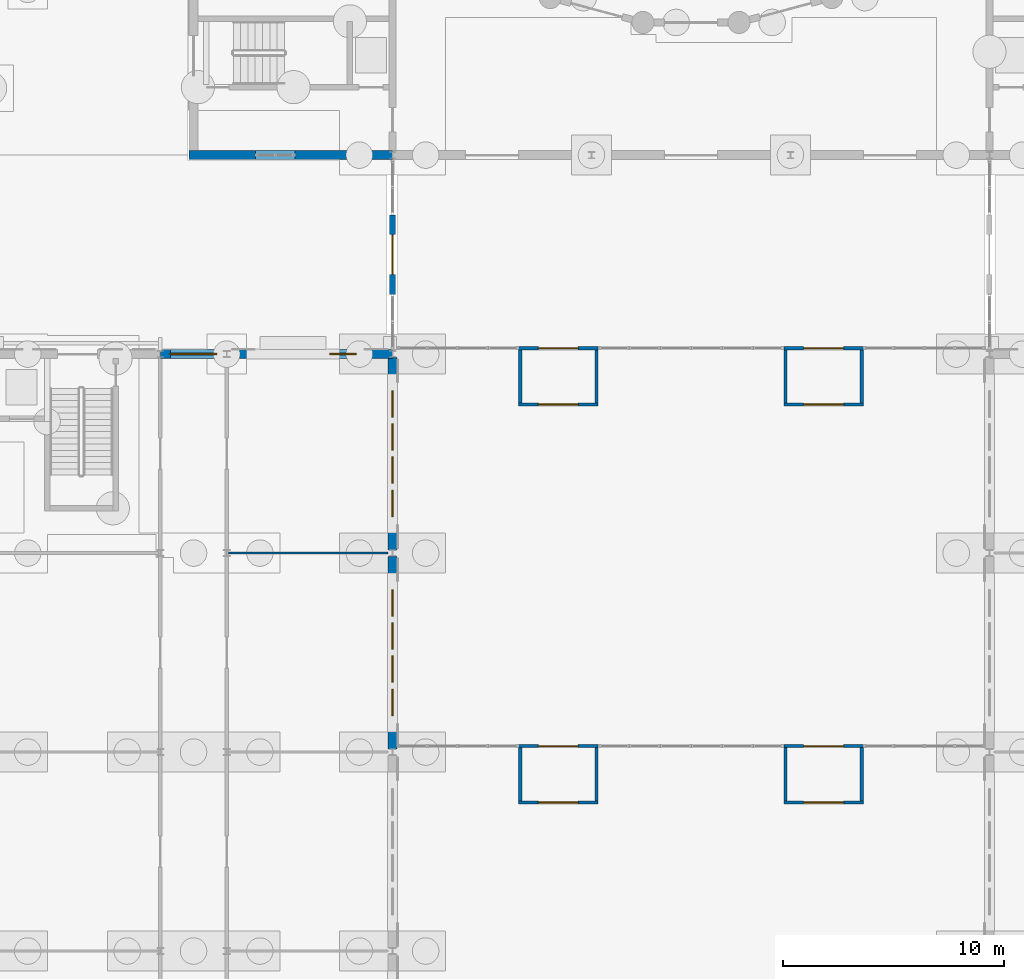
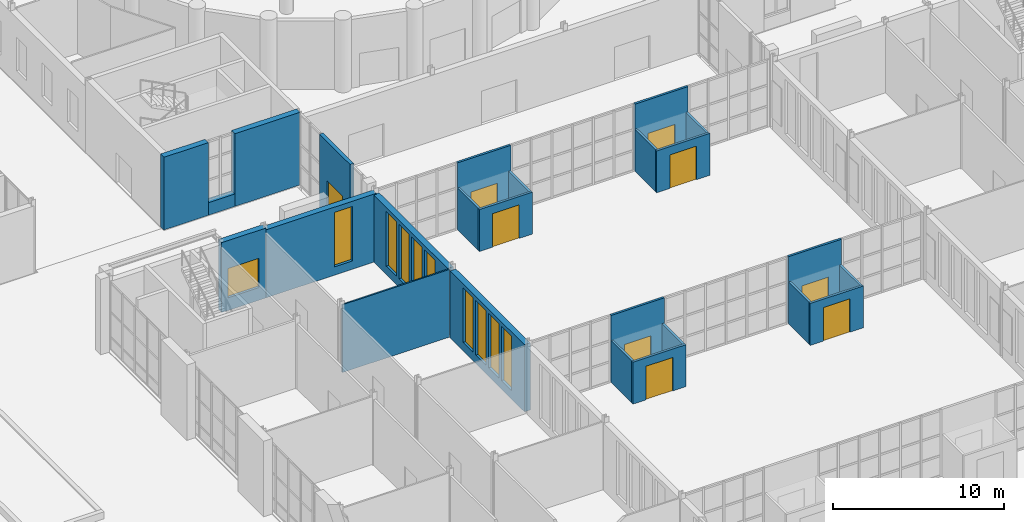
# One storey, part 96 of 168: 25 walls, 10 windows, 9 doors, 19 openings.
"""IFC4 building model written with IfcOpenShell, lengths in metres."""

from ifc_helpers import new_model, si_unit, direction, frame, frame_2d, origin, place, context, subcontext, project, spatial, rectangle, extrude, material, layer, layer_set, type_object, element, fill, save


model = new_model("IFC4")

# Units and contexts
model_context = context("Model", 3, precision=1e-05, world=origin(), true_north=direction((0.0, 1.0)))
body_context = subcontext(model_context, "Body", "Model", "MODEL_VIEW")
ifc_project = project(units=[si_unit("LENGTHUNIT", "METRE"), si_unit("AREAUNIT", "SQUARE_METRE"), si_unit("VOLUMEUNIT", "CUBIC_METRE"), si_unit("PLANEANGLEUNIT", "RADIAN"), si_unit("MASSUNIT", "GRAM", prefix="KILO")], contexts=[model_context])

# Site, building, storey
site_placement = place(None, origin())
site = spatial("IfcSite", under=ifc_project, at=site_placement, CompositionType="ELEMENT")
building_placement = place(site_placement, origin())
building = spatial("IfcBuilding", under=site, at=building_placement, Name="Golden Quay Civic Hall", CompositionType="ELEMENT")
storey_placement = place(building_placement, origin())
storey = spatial("IfcBuildingStorey", under=building, at=storey_placement, Name="L00", CompositionType="ELEMENT", Elevation=0.0)

# Walls
ifc_material_1 = material(Name="Fire-resisting glass and steel", Category="steel")
ifc_layer_1 = layer(ifc_material_1, 0.14990234375)
ifc_layer_set_1 = layer_set([ifc_layer_1], Name="Fire lobby glazed wall 150")
wall_type_1 = type_object("IfcWallType", Name="Fire lobby glazed wall 150", PredefinedType="STANDARD", material=ifc_layer_set_1)
for number, where, z_axis, x_axis, name in (
    (1, (77.77490234375, 33.794921875, 0.0), (0.0, 0.0, 1.0), (0.0, 1.0, 0.0), "Fire lobby wall 2"),
    (2, (81.22509765625, 33.794921875, 0.0), (0.0, 0.0, 1.0), (0.0, 1.0, 0.0), "Fire lobby wall 2"),
):
    element("IfcWall", number, at=place(storey_placement, frame(where, z_axis=z_axis, x_axis=x_axis)), inside=storey, type_object=wall_type_1, Name=name, PredefinedType="STANDARD", context=body_context, shape_type="SweptSolid", body=[
        extrude(rectangle(XDim=2.400146484375, YDim=0.14990234375, at=frame_2d((1.2001953125, 0.0))), origin(), (0.0, 0.0, 1.0), 3.0),
    ])

# Wall, opening, door
wall_1_placement = place(storey_placement, frame((77.699951171875, 33.719970703125, 0.0), z_axis=(0.0, 0.0, 1.0), x_axis=(1.0, 0.0, 0.0)))
wall_1 = element("IfcWall", 3, at=wall_1_placement, inside=storey, type_object=wall_type_1, Name="Fire lobby outer wall 2", PredefinedType="STANDARD", context=body_context, shape_type="SweptSolid", body=[
    extrude(rectangle(XDim=3.60009765625, YDim=0.14990234375, at=frame_2d((1.800048828125, 0.0))), origin(), (0.0, 0.0, 1.0), 3.0),
])
opening_1_placement = place(wall_1_placement, frame((0.89990234375, 0.0, 0.0)))
opening_1 = element("IfcOpeningElement", 4, at=opening_1_placement, cuts=wall_1, Name="Opening L00-D030", PredefinedType="OPENING", context=body_context, shape_type="SweptSolid", body=[
    extrude(rectangle(XDim=1.800048828125, YDim=2.39990234375, at=frame_2d((0.89990234375, 1.199951171875))), frame((0.0, 0.0849609375, 0.0), z_axis=(0.0, -1.0, 0.0), x_axis=(1.0, 0.0, 0.0)), (0.0, 0.0, 1.0), 0.169921875),
])
ifc_material_2 = material(Name="Fire-resisting glass and steel", Category="steel")
door_type_1 = type_object("IfcDoorType", Name="Fire-rated glazed double door 1800 x 2400", OperationType="DOUBLE_DOOR_SINGLE_SWING", PredefinedType="DOOR", material=ifc_material_2)
door_1_placement = place(opening_1_placement, origin())
door_1 = element("IfcDoor", 5, at=door_1_placement, inside=storey, type_object=door_type_1, Name="Fire lobby door 2", OperationType="DOUBLE_DOOR_SINGLE_SWING", OverallHeight=2.39990234375, OverallWidth=1.800048828125, PredefinedType="DOOR", context=body_context, shape_type="SweptSolid", body=[
    extrude(rectangle(XDim=1.800048828125, YDim=2.39990234375, at=frame_2d((0.89990234375, 1.199951171875))), frame((0.0, 0.02490234375, 0.0), z_axis=(0.0, -1.0, 0.0), x_axis=(1.0, 0.0, 0.0)), (0.0, 0.0, 1.0), 0.050048828125),
])
fill(opening_1, door_1)

# Walls
for number, where, z_axis, x_axis, name in (
    (6, (89.77490234375, 33.794921875, 0.0), (0.0, 0.0, 1.0), (0.0, 1.0, 0.0), "Fire lobby wall 2"),
    (7, (93.22509765625, 33.794921875, 0.0), (0.0, 0.0, 1.0), (0.0, 1.0, 0.0), "Fire lobby wall 2"),
):
    element("IfcWall", number, at=place(storey_placement, frame(where, z_axis=z_axis, x_axis=x_axis)), inside=storey, type_object=wall_type_1, Name=name, PredefinedType="STANDARD", context=body_context, shape_type="SweptSolid", body=[
        extrude(rectangle(XDim=2.400146484375, YDim=0.14990234375, at=frame_2d((1.2001953125, 0.0))), origin(), (0.0, 0.0, 1.0), 3.0),
    ])

# Wall, opening, door
wall_2_placement = place(storey_placement, frame((89.699951171875, 33.719970703125, 0.0), z_axis=(0.0, 0.0, 1.0), x_axis=(1.0, 0.0, 0.0)))
wall_2 = element("IfcWall", 8, at=wall_2_placement, inside=storey, type_object=wall_type_1, Name="Fire lobby outer wall 2", PredefinedType="STANDARD", context=body_context, shape_type="SweptSolid", body=[
    extrude(rectangle(XDim=3.60009765625, YDim=0.14990234375, at=frame_2d((1.800048828125, 0.0))), origin(), (0.0, 0.0, 1.0), 3.0),
])
opening_2_placement = place(wall_2_placement, frame((0.89990234375, 0.0, 0.0)))
opening_2 = element("IfcOpeningElement", 9, at=opening_2_placement, cuts=wall_2, Name="Opening L00-D031", PredefinedType="OPENING", context=body_context, shape_type="SweptSolid", body=[
    extrude(rectangle(XDim=1.800048828125, YDim=2.39990234375, at=frame_2d((0.89990234375, 1.199951171875))), frame((0.0, 0.0849609375, 0.0), z_axis=(0.0, -1.0, 0.0), x_axis=(1.0, 0.0, 0.0)), (0.0, 0.0, 1.0), 0.169921875),
])
door_2_placement = place(opening_2_placement, origin())
door_2 = element("IfcDoor", 10, at=door_2_placement, inside=storey, type_object=door_type_1, Name="Fire lobby door 2", OperationType="DOUBLE_DOOR_SINGLE_SWING", OverallHeight=2.39990234375, OverallWidth=1.800048828125, PredefinedType="DOOR", context=body_context, shape_type="SweptSolid", body=[
    extrude(rectangle(XDim=1.800048828125, YDim=2.39990234375, at=frame_2d((0.89990234375, 1.199951171875))), frame((0.0, 0.02490234375, 0.0), z_axis=(0.0, -1.0, 0.0), x_axis=(1.0, 0.0, 0.0)), (0.0, 0.0, 1.0), 0.050048828125),
])
fill(opening_2, door_2)

# Walls
for number, where, z_axis, x_axis, name in (
    (11, (77.77490234375, 51.794921875, 0.0), (0.0, 0.0, 1.0), (0.0, 1.0, 0.0), "Fire lobby wall 3"),
    (12, (81.22509765625, 51.794921875, 0.0), (0.0, 0.0, 1.0), (0.0, 1.0, 0.0), "Fire lobby wall 3"),
):
    element("IfcWall", number, at=place(storey_placement, frame(where, z_axis=z_axis, x_axis=x_axis)), inside=storey, type_object=wall_type_1, Name=name, PredefinedType="STANDARD", context=body_context, shape_type="SweptSolid", body=[
        extrude(rectangle(XDim=2.400146484375, YDim=0.14990234375, at=frame_2d((1.2001953125, 0.0))), origin(), (0.0, 0.0, 1.0), 3.0),
    ])

# Wall, opening, door
wall_3_placement = place(storey_placement, frame((77.699951171875, 51.719970703125, 0.0), z_axis=(0.0, 0.0, 1.0), x_axis=(1.0, 0.0, 0.0)))
wall_3 = element("IfcWall", 13, at=wall_3_placement, inside=storey, type_object=wall_type_1, Name="Fire lobby outer wall 3", PredefinedType="STANDARD", context=body_context, shape_type="SweptSolid", body=[
    extrude(rectangle(XDim=3.60009765625, YDim=0.14990234375, at=frame_2d((1.800048828125, 0.0))), origin(), (0.0, 0.0, 1.0), 3.0),
])
opening_3_placement = place(wall_3_placement, frame((0.89990234375, 0.0, 0.0)))
opening_3 = element("IfcOpeningElement", 14, at=opening_3_placement, cuts=wall_3, Name="Opening L00-D032", PredefinedType="OPENING", context=body_context, shape_type="SweptSolid", body=[
    extrude(rectangle(XDim=1.800048828125, YDim=2.39990234375, at=frame_2d((0.89990234375, 1.199951171875))), frame((0.0, 0.0849609375, 0.0), z_axis=(0.0, -1.0, 0.0), x_axis=(1.0, 0.0, 0.0)), (0.0, 0.0, 1.0), 0.169921875),
])
door_3_placement = place(opening_3_placement, origin())
door_3 = element("IfcDoor", 15, at=door_3_placement, inside=storey, type_object=door_type_1, Name="Fire lobby door 3", OperationType="DOUBLE_DOOR_SINGLE_SWING", OverallHeight=2.39990234375, OverallWidth=1.800048828125, PredefinedType="DOOR", context=body_context, shape_type="SweptSolid", body=[
    extrude(rectangle(XDim=1.800048828125, YDim=2.39990234375, at=frame_2d((0.89990234375, 1.199951171875))), frame((0.0, 0.02490234375, 0.0), z_axis=(0.0, -1.0, 0.0), x_axis=(1.0, 0.0, 0.0)), (0.0, 0.0, 1.0), 0.050048828125),
])
fill(opening_3, door_3)

# Walls
for number, where, z_axis, x_axis, name in (
    (16, (89.77490234375, 51.794921875, 0.0), (0.0, 0.0, 1.0), (0.0, 1.0, 0.0), "Fire lobby wall 3"),
    (17, (93.22509765625, 51.794921875, 0.0), (0.0, 0.0, 1.0), (0.0, 1.0, 0.0), "Fire lobby wall 3"),
):
    element("IfcWall", number, at=place(storey_placement, frame(where, z_axis=z_axis, x_axis=x_axis)), inside=storey, type_object=wall_type_1, Name=name, PredefinedType="STANDARD", context=body_context, shape_type="SweptSolid", body=[
        extrude(rectangle(XDim=2.400146484375, YDim=0.14990234375, at=frame_2d((1.2001953125, 0.0))), origin(), (0.0, 0.0, 1.0), 3.0),
    ])

# Wall, opening, door
wall_4_placement = place(storey_placement, frame((89.699951171875, 51.719970703125, 0.0), z_axis=(0.0, 0.0, 1.0), x_axis=(1.0, 0.0, 0.0)))
wall_4 = element("IfcWall", 18, at=wall_4_placement, inside=storey, type_object=wall_type_1, Name="Fire lobby outer wall 3", PredefinedType="STANDARD", context=body_context, shape_type="SweptSolid", body=[
    extrude(rectangle(XDim=3.60009765625, YDim=0.14990234375, at=frame_2d((1.800048828125, 0.0))), origin(), (0.0, 0.0, 1.0), 3.0),
])
opening_4_placement = place(wall_4_placement, frame((0.89990234375, 0.0, 0.0)))
opening_4 = element("IfcOpeningElement", 19, at=opening_4_placement, cuts=wall_4, Name="Opening L00-D033", PredefinedType="OPENING", context=body_context, shape_type="SweptSolid", body=[
    extrude(rectangle(XDim=1.800048828125, YDim=2.39990234375, at=frame_2d((0.89990234375, 1.199951171875))), frame((0.0, 0.0849609375, 0.0), z_axis=(0.0, -1.0, 0.0), x_axis=(1.0, 0.0, 0.0)), (0.0, 0.0, 1.0), 0.169921875),
])
door_4_placement = place(opening_4_placement, origin())
door_4 = element("IfcDoor", 20, at=door_4_placement, inside=storey, type_object=door_type_1, Name="Fire lobby door 3", OperationType="DOUBLE_DOOR_SINGLE_SWING", OverallHeight=2.39990234375, OverallWidth=1.800048828125, PredefinedType="DOOR", context=body_context, shape_type="SweptSolid", body=[
    extrude(rectangle(XDim=1.800048828125, YDim=2.39990234375, at=frame_2d((0.89990234375, 1.199951171875))), frame((0.0, 0.02490234375, 0.0), z_axis=(0.0, -1.0, 0.0), x_axis=(1.0, 0.0, 0.0)), (0.0, 0.0, 1.0), 0.050048828125),
])
fill(opening_4, door_4)

ifc_material_3 = material(Name="Fire-resisting glass and steel", Category="steel")
ifc_layer_2 = layer(ifc_material_3, 0.14990234375)
ifc_layer_set_2 = layer_set([ifc_layer_2], Name="Fire-resisting glazed screen wall 150")
wall_type_2 = type_object("IfcWallType", Name="Fire-resisting glazed screen wall 150", PredefinedType="STANDARD", material=ifc_layer_set_2)
wall_5_placement = place(storey_placement, frame((77.699951171875, 36.27001953125, 0.0), z_axis=(0.0, 0.0, 1.0), x_axis=(1.0, 0.0, 0.0)))
wall_5 = element("IfcWall", 21, at=wall_5_placement, inside=storey, type_object=wall_type_2, Name="Fire screen wall 2", PredefinedType="STANDARD", context=body_context, shape_type="SweptSolid", body=[
    extrude(rectangle(XDim=3.60009765625, YDim=0.14990234375, at=frame_2d((1.800048828125, 0.0))), origin(), (0.0, 0.0, 1.0), 4.800048828125),
])
opening_5_placement = place(wall_5_placement, frame((0.89990234375, 0.0, 0.0)))
opening_5 = element("IfcOpeningElement", 22, at=opening_5_placement, cuts=wall_5, Name="Opening L00-D024", PredefinedType="OPENING", context=body_context, shape_type="SweptSolid", body=[
    extrude(rectangle(XDim=1.800048828125, YDim=2.39990234375, at=frame_2d((0.89990234375, 1.199951171875))), frame((0.0, 0.0849609375, 0.0), z_axis=(0.0, -1.0, 0.0), x_axis=(1.0, 0.0, 0.0)), (0.0, 0.0, 1.0), 0.169921875),
])
door_5_placement = place(opening_5_placement, origin())
door_5 = element("IfcDoor", 23, at=door_5_placement, inside=storey, type_object=door_type_1, Name="Fire screen door 2", OperationType="DOUBLE_DOOR_SINGLE_SWING", OverallHeight=2.39990234375, OverallWidth=1.800048828125, PredefinedType="DOOR", context=body_context, shape_type="SweptSolid", body=[
    extrude(rectangle(XDim=1.800048828125, YDim=2.39990234375, at=frame_2d((0.89990234375, 1.199951171875))), frame((0.0, 0.02490234375, 0.0), z_axis=(0.0, -1.0, 0.0), x_axis=(1.0, 0.0, 0.0)), (0.0, 0.0, 1.0), 0.050048828125),
])
fill(opening_5, door_5)

wall_6_placement = place(storey_placement, frame((89.699951171875, 36.27001953125, 0.0), z_axis=(0.0, 0.0, 1.0), x_axis=(1.0, 0.0, 0.0)))
wall_6 = element("IfcWall", 24, at=wall_6_placement, inside=storey, type_object=wall_type_2, Name="Fire screen wall 2", PredefinedType="STANDARD", context=body_context, shape_type="SweptSolid", body=[
    extrude(rectangle(XDim=3.60009765625, YDim=0.14990234375, at=frame_2d((1.800048828125, 0.0))), origin(), (0.0, 0.0, 1.0), 4.800048828125),
])
opening_6_placement = place(wall_6_placement, frame((0.89990234375, 0.0, 0.0)))
opening_6 = element("IfcOpeningElement", 25, at=opening_6_placement, cuts=wall_6, Name="Opening L00-D025", PredefinedType="OPENING", context=body_context, shape_type="SweptSolid", body=[
    extrude(rectangle(XDim=1.800048828125, YDim=2.39990234375, at=frame_2d((0.89990234375, 1.199951171875))), frame((0.0, 0.0849609375, 0.0), z_axis=(0.0, -1.0, 0.0), x_axis=(1.0, 0.0, 0.0)), (0.0, 0.0, 1.0), 0.169921875),
])
door_6_placement = place(opening_6_placement, origin())
door_6 = element("IfcDoor", 26, at=door_6_placement, inside=storey, type_object=door_type_1, Name="Fire screen door 2", OperationType="DOUBLE_DOOR_SINGLE_SWING", OverallHeight=2.39990234375, OverallWidth=1.800048828125, PredefinedType="DOOR", context=body_context, shape_type="SweptSolid", body=[
    extrude(rectangle(XDim=1.800048828125, YDim=2.39990234375, at=frame_2d((0.89990234375, 1.199951171875))), frame((0.0, 0.02490234375, 0.0), z_axis=(0.0, -1.0, 0.0), x_axis=(1.0, 0.0, 0.0)), (0.0, 0.0, 1.0), 0.050048828125),
])
fill(opening_6, door_6)

wall_7_placement = place(storey_placement, frame((77.699951171875, 54.27001953125, 0.0), z_axis=(0.0, 0.0, 1.0), x_axis=(1.0, 0.0, 0.0)))
wall_7 = element("IfcWall", 27, at=wall_7_placement, inside=storey, type_object=wall_type_2, Name="Fire screen wall 3", PredefinedType="STANDARD", context=body_context, shape_type="SweptSolid", body=[
    extrude(rectangle(XDim=3.60009765625, YDim=0.14990234375, at=frame_2d((1.800048828125, 0.0))), origin(), (0.0, 0.0, 1.0), 4.800048828125),
])
opening_7_placement = place(wall_7_placement, frame((0.89990234375, 0.0, 0.0)))
opening_7 = element("IfcOpeningElement", 28, at=opening_7_placement, cuts=wall_7, Name="Opening L00-D026", PredefinedType="OPENING", context=body_context, shape_type="SweptSolid", body=[
    extrude(rectangle(XDim=1.800048828125, YDim=2.39990234375, at=frame_2d((0.89990234375, 1.199951171875))), frame((0.0, 0.0849609375, 0.0), z_axis=(0.0, -1.0, 0.0), x_axis=(1.0, 0.0, 0.0)), (0.0, 0.0, 1.0), 0.169921875),
])
door_7_placement = place(opening_7_placement, origin())
door_7 = element("IfcDoor", 29, at=door_7_placement, inside=storey, type_object=door_type_1, Name="Fire screen door 3", OperationType="DOUBLE_DOOR_SINGLE_SWING", OverallHeight=2.39990234375, OverallWidth=1.800048828125, PredefinedType="DOOR", context=body_context, shape_type="SweptSolid", body=[
    extrude(rectangle(XDim=1.800048828125, YDim=2.39990234375, at=frame_2d((0.89990234375, 1.199951171875))), frame((0.0, 0.02490234375, 0.0), z_axis=(0.0, -1.0, 0.0), x_axis=(1.0, 0.0, 0.0)), (0.0, 0.0, 1.0), 0.050048828125),
])
fill(opening_7, door_7)

wall_8_placement = place(storey_placement, frame((89.699951171875, 54.27001953125, 0.0), z_axis=(0.0, 0.0, 1.0), x_axis=(1.0, 0.0, 0.0)))
wall_8 = element("IfcWall", 30, at=wall_8_placement, inside=storey, type_object=wall_type_2, Name="Fire screen wall 3", PredefinedType="STANDARD", context=body_context, shape_type="SweptSolid", body=[
    extrude(rectangle(XDim=3.60009765625, YDim=0.14990234375, at=frame_2d((1.800048828125, 0.0))), origin(), (0.0, 0.0, 1.0), 4.800048828125),
])
opening_8_placement = place(wall_8_placement, frame((0.89990234375, 0.0, 0.0)))
opening_8 = element("IfcOpeningElement", 31, at=opening_8_placement, cuts=wall_8, Name="Opening L00-D027", PredefinedType="OPENING", context=body_context, shape_type="SweptSolid", body=[
    extrude(rectangle(XDim=1.800048828125, YDim=2.39990234375, at=frame_2d((0.89990234375, 1.199951171875))), frame((0.0, 0.0849609375, 0.0), z_axis=(0.0, -1.0, 0.0), x_axis=(1.0, 0.0, 0.0)), (0.0, 0.0, 1.0), 0.169921875),
])
door_8_placement = place(opening_8_placement, origin())
door_8 = element("IfcDoor", 32, at=door_8_placement, inside=storey, type_object=door_type_1, Name="Fire screen door 3", OperationType="DOUBLE_DOOR_SINGLE_SWING", OverallHeight=2.39990234375, OverallWidth=1.800048828125, PredefinedType="DOOR", context=body_context, shape_type="SweptSolid", body=[
    extrude(rectangle(XDim=1.800048828125, YDim=2.39990234375, at=frame_2d((0.89990234375, 1.199951171875))), frame((0.0, 0.02490234375, 0.0), z_axis=(0.0, -1.0, 0.0), x_axis=(1.0, 0.0, 0.0)), (0.0, 0.0, 1.0), 0.050048828125),
])
fill(opening_8, door_8)

ifc_material_4 = material(Name="Glass and aluminium", Category="aluminium")
ifc_layer_3 = layer(ifc_material_4, 0.25)
ifc_layer_set_3 = layer_set([ifc_layer_3], Name="Glazed entrance screen 250")
wall_type_3 = type_object("IfcWallType", Name="Glazed entrance screen 250", PredefinedType="STANDARD", material=ifc_layer_set_3)
wall_9_placement = place(storey_placement, frame((72.0, 56.699951171875, 0.0), z_axis=(0.0, 0.0, 1.0), x_axis=(0.0, 1.0, 0.0)))
wall_9 = element("IfcWall", 33, at=wall_9_placement, inside=storey, type_object=wall_type_3, Name="Foyer screen west", PredefinedType="STANDARD", context=body_context, shape_type="SweptSolid", body=[
    extrude(rectangle(XDim=3.60009765625, YDim=0.25, at=frame_2d((1.800048828125, 0.0))), origin(), (0.0, 0.0, 1.0), 5.199951171875),
])
opening_9_placement = place(wall_9_placement, frame((0.89990234375, 0.0, 0.0)))
opening_9 = element("IfcOpeningElement", 34, at=opening_9_placement, cuts=wall_9, Name="Opening L00-D020", PredefinedType="OPENING", context=body_context, shape_type="SweptSolid", body=[
    extrude(rectangle(XDim=1.800048828125, YDim=2.39990234375, at=frame_2d((0.89990234375, 1.199951171875))), frame((0.0, 0.135009765625, 0.0), z_axis=(0.0, -1.0, 0.0), x_axis=(1.0, 0.0, 0.0)), (0.0, 0.0, 1.0), 0.27001953125),
])
ifc_material_5 = material(Name="Glass and aluminium", Category="aluminium")
door_type_2 = type_object("IfcDoorType", Name="Glazed double door 1800 x 2400", OperationType="DOUBLE_DOOR_SINGLE_SWING", PredefinedType="DOOR", material=ifc_material_5)
door_9_placement = place(opening_9_placement, origin())
door_9 = element("IfcDoor", 35, at=door_9_placement, inside=storey, type_object=door_type_2, Name="Door HALL-S1", OperationType="DOUBLE_DOOR_SINGLE_SWING", OverallHeight=2.39990234375, OverallWidth=1.800048828125, PredefinedType="DOOR", context=body_context, shape_type="SweptSolid", body=[
    extrude(rectangle(XDim=1.800048828125, YDim=2.39990234375, at=frame_2d((0.89990234375, 1.199951171875))), frame((0.0, 0.02490234375, 0.0), z_axis=(0.0, -1.0, 0.0), x_axis=(1.0, 0.0, 0.0)), (0.0, 0.0, 1.0), 0.050048828125),
])
fill(opening_9, door_9)

# Wall
ifc_material_6 = material(Name="Plasterboard on steel studs", Category="steel")
ifc_layer_4 = layer(ifc_material_6, 0.10009765625)
ifc_layer_set_4 = layer_set([ifc_layer_4], Name="Partition 100 stud")
wall_type_4 = type_object("IfcWallType", Name="Partition 100 stud", PredefinedType="PARTITIONING", material=ifc_layer_set_4)
wall_10_placement = place(storey_placement, frame((64.574951171875, 45.0, 0.0), z_axis=(0.0, 0.0, 1.0), x_axis=(1.0, 0.0, 0.0)))
element("IfcWall", 36, at=wall_10_placement, inside=storey, type_object=wall_type_4, Name="Partition L00-008", PredefinedType="PARTITIONING", context=body_context, shape_type="SweptSolid", body=[
    extrude(rectangle(XDim=7.22509765625, YDim=0.10009765625, at=frame_2d((3.612548828125, 0.0))), origin(), (0.0, 0.0, 1.0), 4.85009765625),
])

# Wall, opening, window
ifc_material_7 = material(Name="Clay block, rendered, cream")
ifc_layer_5 = layer(ifc_material_7, 0.39990234375)
ifc_layer_set_5 = layer_set([ifc_layer_5], Name="Rendered block external wall 400")
wall_type_5 = type_object("IfcWallType", Name="Rendered block external wall 400", PredefinedType="STANDARD", material=ifc_layer_set_5)
wall_11_placement = place(storey_placement, frame((61.50927734375, 54.0, 0.0), z_axis=(0.0, 0.0, 1.0), x_axis=(1.0, 0.0, 0.0)))
wall_11 = element("IfcWall", 37, at=wall_11_placement, inside=storey, type_object=wall_type_5, Name="Rendered block external wall 400 L00 22", PredefinedType="STANDARD", context=body_context, shape_type="SweptSolid", body=[
    extrude(rectangle(XDim=2.9814453125, YDim=0.39990234375, at=frame_2d((1.49072265625, 0.0))), origin(), (0.0, 0.0, 1.0), 5.0),
])
opening_10_placement = place(wall_11_placement, frame((0.440673828125, 0.0, 0.89990234375)))
opening_10 = element("IfcOpeningElement", 38, at=opening_10_placement, cuts=wall_11, Name="Opening WN2", PredefinedType="OPENING", context=body_context, shape_type="SweptSolid", body=[
    extrude(rectangle(XDim=2.10009765625, YDim=2.10009765625, at=frame_2d((1.050048828125, 1.050048828125))), frame((0.0, 0.2099609375, 0.0), z_axis=(0.0, -1.0, 0.0), x_axis=(1.0, 0.0, 0.0)), (0.0, 0.0, 1.0), 0.419921875),
])
ifc_material_8 = material(Name="Aluminium frame, double glazed", Category="aluminium")
window_type_1 = type_object("IfcWindowType", Name="Corridor end window 2100 x 2100", PartitioningType="SINGLE_PANEL", PredefinedType="WINDOW", material=ifc_material_8)
window_1_placement = place(opening_10_placement, origin())
window_1 = element("IfcWindow", 39, at=window_1_placement, inside=storey, type_object=window_type_1, Name="Corridor end window 2100 x 2100 L00 6", OverallHeight=2.10009765625, OverallWidth=2.10009765625, PartitioningType="SINGLE_PANEL", PredefinedType="WINDOW", context=body_context, shape_type="SweptSolid", body=[
    extrude(rectangle(XDim=2.10009765625, YDim=2.10009765625, at=frame_2d((1.050048828125, 1.050048828125))), frame((0.0, 0.030029296875, 0.0), z_axis=(0.0, -1.0, 0.0), x_axis=(1.0, 0.0, 0.0)), (0.0, 0.0, 1.0), 0.06005859375),
])
fill(opening_10, window_1)

wall_12_placement = place(storey_placement, frame((64.50927734375, 54.0, 0.0), z_axis=(0.0, 0.0, 1.0), x_axis=(1.0, 0.0, 0.0)))
wall_12 = element("IfcWall", 40, at=wall_12_placement, inside=storey, type_object=wall_type_5, Name="Rendered block external wall 400 L00 23", PredefinedType="STANDARD", context=body_context, shape_type="SweptSolid", body=[
    extrude(rectangle(XDim=7.4814453125, YDim=0.39990234375, at=frame_2d((3.74072265625, 0.0))), origin(), (0.0, 0.0, 1.0), 4.8701171875),
])
opening_11_placement = place(wall_12_placement, frame((4.640869140625, 0.0, 0.60009765625)))
opening_11 = element("IfcOpeningElement", 41, at=opening_11_placement, cuts=wall_12, Name="Opening WN3", PredefinedType="OPENING", context=body_context, shape_type="SweptSolid", body=[
    extrude(rectangle(XDim=1.199951171875, YDim=3.89990234375, at=frame_2d((0.60009765625, 1.949951171875))), frame((0.0, 0.2099609375, 0.0), z_axis=(0.0, -1.0, 0.0), x_axis=(1.0, 0.0, 0.0)), (0.0, 0.0, 1.0), 0.419921875),
])
ifc_material_9 = material(Name="Aluminium frame, double glazed", Category="aluminium")
window_type_2 = type_object("IfcWindowType", Name="Golden grid window 1200 x 3900", PartitioningType="SINGLE_PANEL", PredefinedType="WINDOW", material=ifc_material_9)
window_2_placement = place(opening_11_placement, origin())
window_2 = element("IfcWindow", 42, at=window_2_placement, inside=storey, type_object=window_type_2, Name="Golden grid window 1200 x 3900 L00 42", OverallHeight=3.89990234375, OverallWidth=1.199951171875, PartitioningType="SINGLE_PANEL", PredefinedType="WINDOW", context=body_context, shape_type="SweptSolid", body=[
    extrude(rectangle(XDim=1.199951171875, YDim=3.89990234375, at=frame_2d((0.60009765625, 1.949951171875))), frame((0.0, 0.030029296875, 0.0), z_axis=(0.0, -1.0, 0.0), x_axis=(1.0, 0.0, 0.0)), (0.0, 0.0, 1.0), 0.06005859375),
])
fill(opening_11, window_2)

# Wall, openings, windows
wall_13_placement = place(storey_placement, frame((72.0, 44.85498046875, 0.0), z_axis=(0.0, 0.0, 1.0), x_axis=(0.0, -1.0, 0.0)))
wall_13 = element("IfcWall", 43, at=wall_13_placement, inside=storey, type_object=wall_type_5, Name="Rendered block external wall 400 L00 28", PredefinedType="STANDARD", context=body_context, shape_type="SweptSolid", body=[
    extrude(rectangle(XDim=8.7099609375, YDim=0.39990234375, at=frame_2d((4.35498046875, 0.0))), origin(), (0.0, 0.0, 1.0), 4.800048828125),
])
opening_12_placement = place(wall_13_placement, frame((6.0048828125, 0.0, 0.60009765625)))
opening_12 = element("IfcOpeningElement", 44, at=opening_12_placement, cuts=wall_13, Name="Opening WN3", PredefinedType="OPENING", context=body_context, shape_type="SweptSolid", body=[
    extrude(rectangle(XDim=1.199951171875, YDim=3.89990234375, at=frame_2d((0.60009765625, 1.949951171875))), frame((0.0, 0.2099609375, 0.0), z_axis=(0.0, -1.0, 0.0), x_axis=(1.0, 0.0, 0.0)), (0.0, 0.0, 1.0), 0.419921875),
])
opening_13_placement = place(wall_13_placement, frame((4.5048828125, 0.0, 0.60009765625)))
opening_13 = element("IfcOpeningElement", 45, at=opening_13_placement, cuts=wall_13, Name="Opening WN3", PredefinedType="OPENING", context=body_context, shape_type="SweptSolid", body=[
    extrude(rectangle(XDim=1.199951171875, YDim=3.89990234375, at=frame_2d((0.60009765625, 1.949951171875))), frame((0.0, 0.2099609375, 0.0), z_axis=(0.0, -1.0, 0.0), x_axis=(1.0, 0.0, 0.0)), (0.0, 0.0, 1.0), 0.419921875),
])
opening_14_placement = place(wall_13_placement, frame((3.0048828125, 0.0, 0.60009765625)))
opening_14 = element("IfcOpeningElement", 46, at=opening_14_placement, cuts=wall_13, Name="Opening WN3", PredefinedType="OPENING", context=body_context, shape_type="SweptSolid", body=[
    extrude(rectangle(XDim=1.199951171875, YDim=3.89990234375, at=frame_2d((0.60009765625, 1.949951171875))), frame((0.0, 0.2099609375, 0.0), z_axis=(0.0, -1.0, 0.0), x_axis=(1.0, 0.0, 0.0)), (0.0, 0.0, 1.0), 0.419921875),
])
opening_15_placement = place(wall_13_placement, frame((1.5048828125, 0.0, 0.60009765625)))
opening_15 = element("IfcOpeningElement", 47, at=opening_15_placement, cuts=wall_13, Name="Opening WN3", PredefinedType="OPENING", context=body_context, shape_type="SweptSolid", body=[
    extrude(rectangle(XDim=1.199951171875, YDim=3.89990234375, at=frame_2d((0.60009765625, 1.949951171875))), frame((0.0, 0.2099609375, 0.0), z_axis=(0.0, -1.0, 0.0), x_axis=(1.0, 0.0, 0.0)), (0.0, 0.0, 1.0), 0.419921875),
])
window_3_placement = place(opening_12_placement, origin())
window_3 = element("IfcWindow", 48, at=window_3_placement, inside=storey, type_object=window_type_2, Name="Golden grid window 1200 x 3900 L00 59", OverallHeight=3.89990234375, OverallWidth=1.199951171875, PartitioningType="SINGLE_PANEL", PredefinedType="WINDOW", context=body_context, shape_type="SweptSolid", body=[
    extrude(rectangle(XDim=1.199951171875, YDim=3.89990234375, at=frame_2d((0.60009765625, 1.949951171875))), frame((0.0, 0.030029296875, 0.0), z_axis=(0.0, -1.0, 0.0), x_axis=(1.0, 0.0, 0.0)), (0.0, 0.0, 1.0), 0.06005859375),
])
fill(opening_12, window_3)
window_4_placement = place(opening_13_placement, origin())
window_4 = element("IfcWindow", 49, at=window_4_placement, inside=storey, type_object=window_type_2, Name="Golden grid window 1200 x 3900 L00 60", OverallHeight=3.89990234375, OverallWidth=1.199951171875, PartitioningType="SINGLE_PANEL", PredefinedType="WINDOW", context=body_context, shape_type="SweptSolid", body=[
    extrude(rectangle(XDim=1.199951171875, YDim=3.89990234375, at=frame_2d((0.60009765625, 1.949951171875))), frame((0.0, 0.030029296875, 0.0), z_axis=(0.0, -1.0, 0.0), x_axis=(1.0, 0.0, 0.0)), (0.0, 0.0, 1.0), 0.06005859375),
])
fill(opening_13, window_4)
window_5_placement = place(opening_14_placement, origin())
window_5 = element("IfcWindow", 50, at=window_5_placement, inside=storey, type_object=window_type_2, Name="Golden grid window 1200 x 3900 L00 61", OverallHeight=3.89990234375, OverallWidth=1.199951171875, PartitioningType="SINGLE_PANEL", PredefinedType="WINDOW", context=body_context, shape_type="SweptSolid", body=[
    extrude(rectangle(XDim=1.199951171875, YDim=3.89990234375, at=frame_2d((0.60009765625, 1.949951171875))), frame((0.0, 0.030029296875, 0.0), z_axis=(0.0, -1.0, 0.0), x_axis=(1.0, 0.0, 0.0)), (0.0, 0.0, 1.0), 0.06005859375),
])
fill(opening_14, window_5)
window_6_placement = place(opening_15_placement, origin())
window_6 = element("IfcWindow", 51, at=window_6_placement, inside=storey, type_object=window_type_2, Name="Golden grid window 1200 x 3900 L00 62", OverallHeight=3.89990234375, OverallWidth=1.199951171875, PartitioningType="SINGLE_PANEL", PredefinedType="WINDOW", context=body_context, shape_type="SweptSolid", body=[
    extrude(rectangle(XDim=1.199951171875, YDim=3.89990234375, at=frame_2d((0.60009765625, 1.949951171875))), frame((0.0, 0.030029296875, 0.0), z_axis=(0.0, -1.0, 0.0), x_axis=(1.0, 0.0, 0.0)), (0.0, 0.0, 1.0), 0.06005859375),
])
fill(opening_15, window_6)

wall_14_placement = place(storey_placement, frame((72.0, 53.85498046875, 0.0), z_axis=(0.0, 0.0, 1.0), x_axis=(0.0, -1.0, 0.0)))
wall_14 = element("IfcWall", 52, at=wall_14_placement, inside=storey, type_object=wall_type_5, Name="Rendered block external wall 400 L00 29", PredefinedType="STANDARD", context=body_context, shape_type="SweptSolid", body=[
    extrude(rectangle(XDim=8.7099609375, YDim=0.39990234375, at=frame_2d((4.35498046875, 0.0))), origin(), (0.0, 0.0, 1.0), 4.800048828125),
])
opening_16_placement = place(wall_14_placement, frame((6.0048828125, 0.0, 0.60009765625)))
opening_16 = element("IfcOpeningElement", 53, at=opening_16_placement, cuts=wall_14, Name="Opening WN3", PredefinedType="OPENING", context=body_context, shape_type="SweptSolid", body=[
    extrude(rectangle(XDim=1.199951171875, YDim=3.89990234375, at=frame_2d((0.60009765625, 1.949951171875))), frame((0.0, 0.2099609375, 0.0), z_axis=(0.0, -1.0, 0.0), x_axis=(1.0, 0.0, 0.0)), (0.0, 0.0, 1.0), 0.419921875),
])
opening_17_placement = place(wall_14_placement, frame((4.5048828125, 0.0, 0.60009765625)))
opening_17 = element("IfcOpeningElement", 54, at=opening_17_placement, cuts=wall_14, Name="Opening WN3", PredefinedType="OPENING", context=body_context, shape_type="SweptSolid", body=[
    extrude(rectangle(XDim=1.199951171875, YDim=3.89990234375, at=frame_2d((0.60009765625, 1.949951171875))), frame((0.0, 0.2099609375, 0.0), z_axis=(0.0, -1.0, 0.0), x_axis=(1.0, 0.0, 0.0)), (0.0, 0.0, 1.0), 0.419921875),
])
opening_18_placement = place(wall_14_placement, frame((3.0048828125, 0.0, 0.60009765625)))
opening_18 = element("IfcOpeningElement", 55, at=opening_18_placement, cuts=wall_14, Name="Opening WN3", PredefinedType="OPENING", context=body_context, shape_type="SweptSolid", body=[
    extrude(rectangle(XDim=1.199951171875, YDim=3.89990234375, at=frame_2d((0.60009765625, 1.949951171875))), frame((0.0, 0.2099609375, 0.0), z_axis=(0.0, -1.0, 0.0), x_axis=(1.0, 0.0, 0.0)), (0.0, 0.0, 1.0), 0.419921875),
])
opening_19_placement = place(wall_14_placement, frame((1.5048828125, 0.0, 0.60009765625)))
opening_19 = element("IfcOpeningElement", 56, at=opening_19_placement, cuts=wall_14, Name="Opening WN3", PredefinedType="OPENING", context=body_context, shape_type="SweptSolid", body=[
    extrude(rectangle(XDim=1.199951171875, YDim=3.89990234375, at=frame_2d((0.60009765625, 1.949951171875))), frame((0.0, 0.2099609375, 0.0), z_axis=(0.0, -1.0, 0.0), x_axis=(1.0, 0.0, 0.0)), (0.0, 0.0, 1.0), 0.419921875),
])
window_7_placement = place(opening_16_placement, origin())
window_7 = element("IfcWindow", 57, at=window_7_placement, inside=storey, type_object=window_type_2, Name="Golden grid window 1200 x 3900 L00 63", OverallHeight=3.89990234375, OverallWidth=1.199951171875, PartitioningType="SINGLE_PANEL", PredefinedType="WINDOW", context=body_context, shape_type="SweptSolid", body=[
    extrude(rectangle(XDim=1.199951171875, YDim=3.89990234375, at=frame_2d((0.60009765625, 1.949951171875))), frame((0.0, 0.030029296875, 0.0), z_axis=(0.0, -1.0, 0.0), x_axis=(1.0, 0.0, 0.0)), (0.0, 0.0, 1.0), 0.06005859375),
])
fill(opening_16, window_7)
window_8_placement = place(opening_17_placement, origin())
window_8 = element("IfcWindow", 58, at=window_8_placement, inside=storey, type_object=window_type_2, Name="Golden grid window 1200 x 3900 L00 64", OverallHeight=3.89990234375, OverallWidth=1.199951171875, PartitioningType="SINGLE_PANEL", PredefinedType="WINDOW", context=body_context, shape_type="SweptSolid", body=[
    extrude(rectangle(XDim=1.199951171875, YDim=3.89990234375, at=frame_2d((0.60009765625, 1.949951171875))), frame((0.0, 0.030029296875, 0.0), z_axis=(0.0, -1.0, 0.0), x_axis=(1.0, 0.0, 0.0)), (0.0, 0.0, 1.0), 0.06005859375),
])
fill(opening_17, window_8)
window_9_placement = place(opening_18_placement, origin())
window_9 = element("IfcWindow", 59, at=window_9_placement, inside=storey, type_object=window_type_2, Name="Golden grid window 1200 x 3900 L00 65", OverallHeight=3.89990234375, OverallWidth=1.199951171875, PartitioningType="SINGLE_PANEL", PredefinedType="WINDOW", context=body_context, shape_type="SweptSolid", body=[
    extrude(rectangle(XDim=1.199951171875, YDim=3.89990234375, at=frame_2d((0.60009765625, 1.949951171875))), frame((0.0, 0.030029296875, 0.0), z_axis=(0.0, -1.0, 0.0), x_axis=(1.0, 0.0, 0.0)), (0.0, 0.0, 1.0), 0.06005859375),
])
fill(opening_18, window_9)
window_10_placement = place(opening_19_placement, origin())
window_10 = element("IfcWindow", 60, at=window_10_placement, inside=storey, type_object=window_type_2, Name="Golden grid window 1200 x 3900 L00 66", OverallHeight=3.89990234375, OverallWidth=1.199951171875, PartitioningType="SINGLE_PANEL", PredefinedType="WINDOW", context=body_context, shape_type="SweptSolid", body=[
    extrude(rectangle(XDim=1.199951171875, YDim=3.89990234375, at=frame_2d((0.60009765625, 1.949951171875))), frame((0.0, 0.030029296875, 0.0), z_axis=(0.0, -1.0, 0.0), x_axis=(1.0, 0.0, 0.0)), (0.0, 0.0, 1.0), 0.06005859375),
])
fill(opening_19, window_10)

# Walls
ifc_material_10 = material(Name="Brick masonry with render", Category="masonry")
ifc_layer_6 = layer(ifc_material_10, 0.39990234375)
ifc_layer_set_6 = layer_set([ifc_layer_6], Name="Rendered brick external wall 400 fire EI 120")
wall_type_6 = type_object("IfcWallType", Name="Rendered brick external wall 400 fire EI 120", PredefinedType="STANDARD", material=ifc_layer_set_6)
wall_15_placement = place(storey_placement, frame((62.800048828125, 63.0, 0.0), z_axis=(0.0, 0.0, 1.0), x_axis=(1.0, 0.0, 0.0)))
element("IfcWall", 61, at=wall_15_placement, inside=storey, type_object=wall_type_6, Name="Base wall S 62", PredefinedType="STANDARD", context=body_context, shape_type="SweptSolid", body=[
    extrude(rectangle(XDim=3.0, YDim=0.39990234375, at=frame_2d((1.5, 0.0))), origin(), (0.0, 0.0, 1.0), 5.199951171875),
])
wall_16_placement = place(storey_placement, frame((67.60009765625, 63.0, 0.0), z_axis=(0.0, 0.0, 1.0), x_axis=(1.0, 0.0, 0.0)))
element("IfcWall", 62, at=wall_16_placement, inside=storey, type_object=wall_type_6, Name="Base wall S 62 (beyond the bay)", PredefinedType="STANDARD", context=body_context, shape_type="SweptSolid", body=[
    extrude(rectangle(XDim=4.39990234375, YDim=0.39990234375, at=frame_2d((2.199951171875, 0.0))), origin(), (0.0, 0.0, 1.0), 5.199951171875),
])
wall_17_placement = place(storey_placement, frame((65.800048828125, 63.0, 0.0), z_axis=(0.0, 0.0, 1.0), x_axis=(1.0, 0.0, 0.0)))
element("IfcWall", 63, at=wall_17_placement, inside=storey, type_object=wall_type_6, Name="Base wall S 62 sill", PredefinedType="STANDARD", context=body_context, shape_type="SweptSolid", body=[
    extrude(rectangle(XDim=1.800048828125, YDim=0.39990234375, at=frame_2d((0.89990234375, 0.0))), origin(), (0.0, 0.0, 1.0), 0.89990234375),
])

save(model, "model.ifc")
